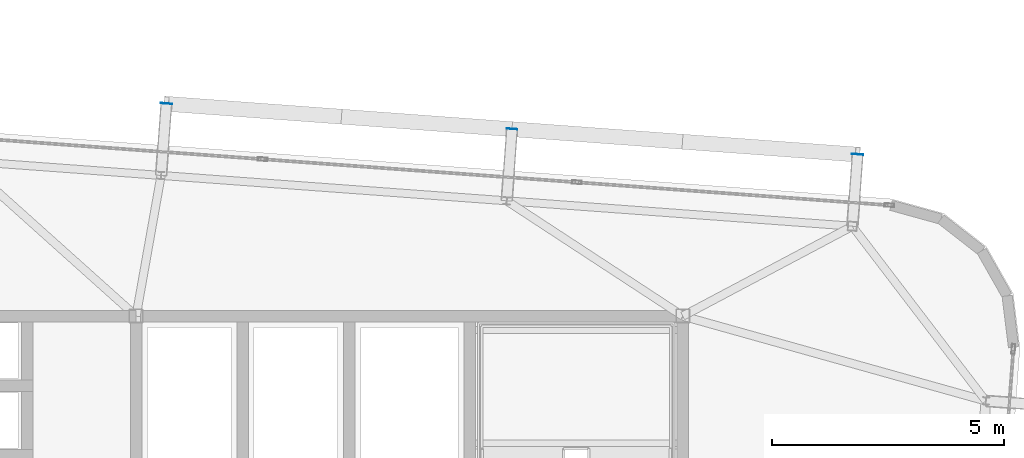
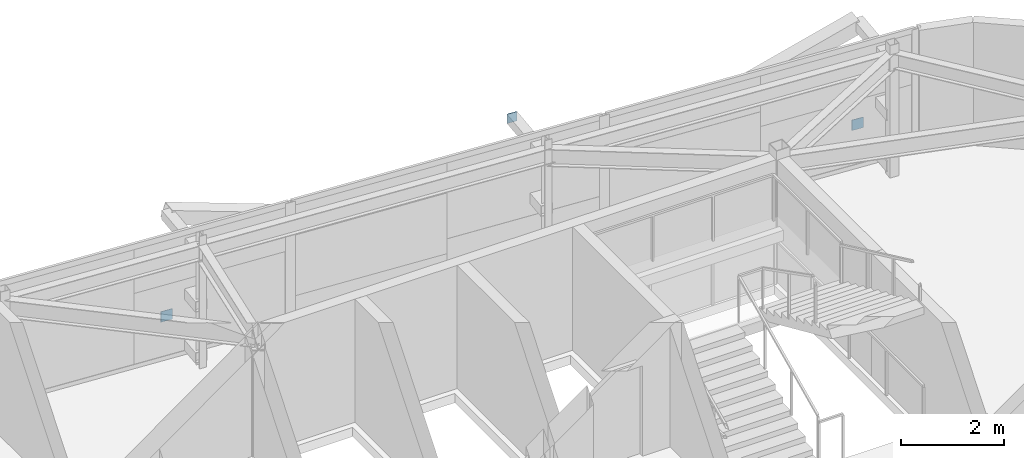
# One storey, part 31 of 36: 3 plates.
"""IFC4 building model written with IfcOpenShell, lengths in metres."""

from ifc_helpers import new_model, si_unit, direction, frame, origin, origin_2d, place, context, subcontext, project, spatial, rectangle, extrude, source, transform, mapped, material, layer, layer_set, type_object, element, save


model = new_model("IFC4")

# Units and contexts
model_context = context("Model", 3, precision=1e-05, world=origin(), true_north=direction((0.0, 1.0)))
body_context = subcontext(model_context, "Body", "Model", "MODEL_VIEW")
ifc_project = project(units=[si_unit("LENGTHUNIT", "METRE"), si_unit("AREAUNIT", "SQUARE_METRE"), si_unit("VOLUMEUNIT", "CUBIC_METRE"), si_unit("PLANEANGLEUNIT", "RADIAN"), si_unit("MASSUNIT", "GRAM", prefix="KILO")], contexts=[model_context])

# Site, building, storey
site_placement = place(None, origin())
site = spatial("IfcSite", under=ifc_project, at=site_placement, CompositionType="ELEMENT")
building_placement = place(site_placement, origin())
building = spatial("IfcBuilding", under=site, at=building_placement, Name="Taldren Reach Tower", CompositionType="ELEMENT")
storey_placement = place(building_placement, frame((0.0, 0.0, 227.14990234375)))
storey = spatial("IfcBuildingStorey", under=building, at=storey_placement, Name="L69", CompositionType="ELEMENT", Elevation=227.14990234375)

# Plates
ifc_material_1 = material(Name="Steel Gr 350 (C350L0)", Category="steel")
ifc_layer_1 = layer(ifc_material_1, 0.011962890625)
ifc_layer_set_1 = layer_set([ifc_layer_1], Name="Steel Gr 350 (C350L0)")
plate_type_1 = type_object("IfcPlateType", Name="PL-CAP-250", PredefinedType="SHEET", material=ifc_layer_set_1)
shared_shape_1 = source(origin(), body_context, "Body", "SweptSolid", [
    extrude(rectangle(XDim=0.25, YDim=0.011962890625, at=origin_2d()), origin(), (0.0, 0.0, 1.0), 0.25),
])
for number, where, z_axis, x_axis, name in (
    (1, (39.853515625, 36.587158203125, 0.09521484375), (0.0, 0.0, 1.0), (0.997314477224, -0.073238197128, 0.0), "Tie strut end cap plate B5-N4 L69"),
    (2, (54.773193359375, 35.49169921875, 0.09521484375), (0.0, 0.0, 1.0), (0.997314477224, -0.073238197128, 0.0), "Tie strut end cap plate B5-N6 L69"),
):
    element("IfcPlate", number, at=place(storey_placement, frame(where, z_axis=z_axis, x_axis=x_axis)), inside=storey, type_object=plate_type_1, Name=name, PredefinedType="SHEET", context=body_context, shape_type="MappedRepresentation", body=[
        mapped(shared_shape_1, transform((0.0, 0.0, 0.0), scale=1.0)),
    ])
ifc_material_2 = material(Name="Steel Gr 450 (C450L0)", Category="steel")
ifc_layer_2 = layer(ifc_material_2, 0.011962890625)
ifc_layer_set_2 = layer_set([ifc_layer_2], Name="Steel Gr 450 (C450L0)")
plate_type_2 = type_object("IfcPlateType", Name="PL-CAP-220", PredefinedType="SHEET", material=ifc_layer_set_2)
shared_shape_2 = source(origin(), body_context, "Body", "SweptSolid", [
    extrude(rectangle(XDim=0.219970703125, YDim=0.011962890625, at=origin_2d()), origin(), (0.0, 0.0, 1.0), 0.219970703125),
])
plate_placement = place(storey_placement, frame((47.3134765625, 36.039306640625, 2.5400390625), z_axis=(0.0, 0.0, 1.0), x_axis=(0.997314477224, -0.073238197128, 0.0)))
element("IfcPlate", 3, at=plate_placement, inside=storey, type_object=plate_type_2, Name="Tie strut end cap plate B5-N5 L69", PredefinedType="SHEET", context=body_context, shape_type="MappedRepresentation", body=[
    mapped(shared_shape_2, transform((0.0, 0.0, 0.0), scale=1.0)),
])

save(model, "model.ifc")
